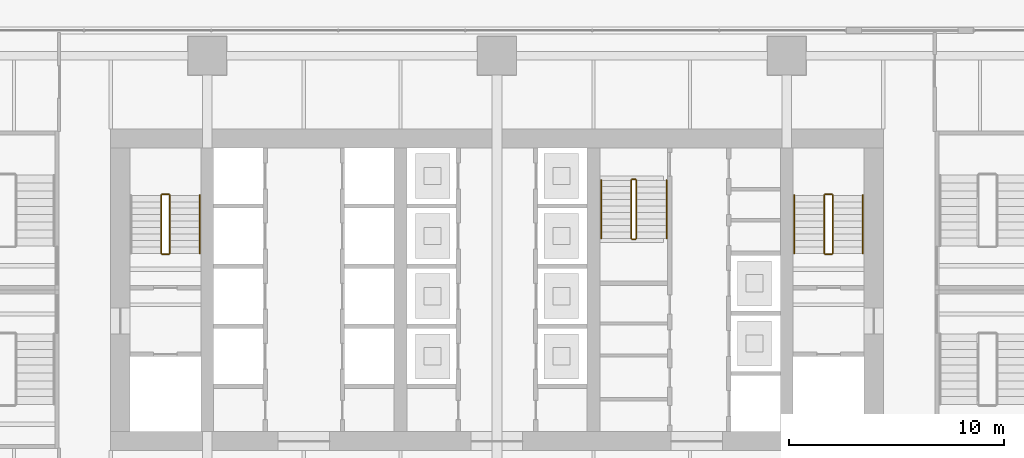
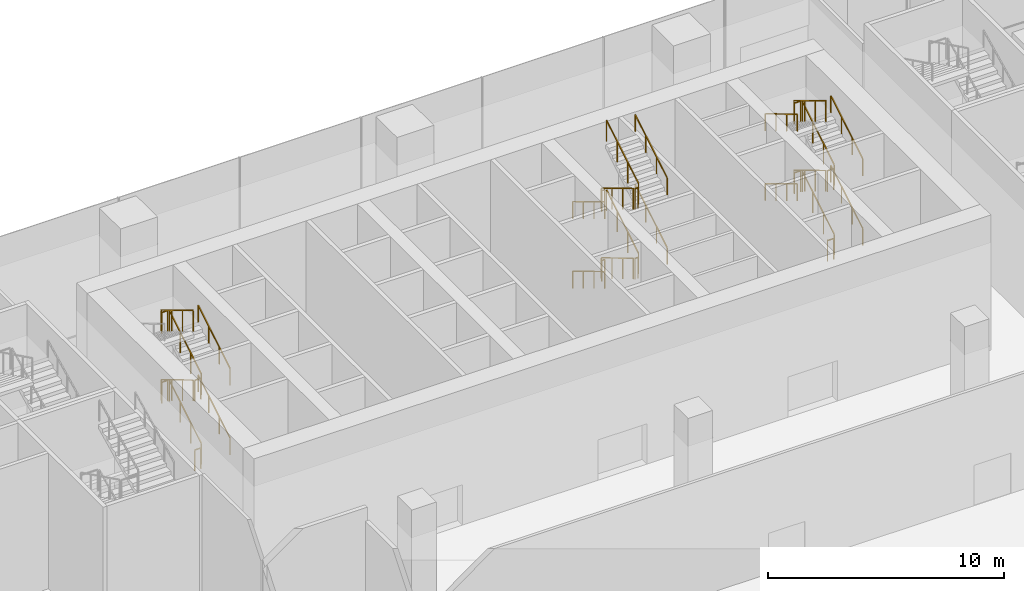
# One storey, part 39 of 41: 34 railings.
"""IFC4 building model written with IfcOpenShell, lengths in metres."""

from ifc_helpers import new_model, si_unit, direction, frame, origin, origin_2d, place, context, subcontext, project, spatial, rectangle, extrude, material, type_object, element, save


model = new_model("IFC4")

# Units and contexts
model_context = context("Model", 3, precision=1e-05, world=origin(), true_north=direction((0.0, 1.0)))
body_context = subcontext(model_context, "Body", "Model", "MODEL_VIEW")
ifc_project = project(units=[si_unit("LENGTHUNIT", "METRE"), si_unit("AREAUNIT", "SQUARE_METRE"), si_unit("VOLUMEUNIT", "CUBIC_METRE"), si_unit("PLANEANGLEUNIT", "RADIAN"), si_unit("MASSUNIT", "GRAM", prefix="KILO")], contexts=[model_context])

# Site, building, storey
site_placement = place(None, origin())
site = spatial("IfcSite", under=ifc_project, at=site_placement, CompositionType="ELEMENT")
building_placement = place(site_placement, origin())
building = spatial("IfcBuilding", under=site, at=building_placement, Name="Rattan Terrace Tower", CompositionType="ELEMENT")
storey_placement = place(building_placement, origin())
storey = spatial("IfcBuildingStorey", under=building, at=storey_placement, Name="L00", CompositionType="ELEMENT", Elevation=0.0)

# Railings
ifc_material_1 = material(Name="Powder-coated steel guard", Category="steel")
railing_type_1 = type_object("IfcRailingType", Name="Core stair guard", PredefinedType="GUARDRAIL", material=ifc_material_1)
railing_1_placement = place(storey_placement, frame((-15.25, 1.699951171875, 0.179931640625)))
element("IfcRailing", 1, at=railing_1_placement, inside=storey, type_object=railing_type_1, Name="L00 S1 stair guard 1", PredefinedType="GUARDRAIL", context=body_context, shape_type="SweptSolid", body=[
    extrude(rectangle(XDim=0.048095703125, YDim=0.048095703125, at=origin_2d()), frame((0.0, 0.0, 1.076171875), z_axis=(0.0, 0.857472400752, 0.514529962148), x_axis=(-1.0, 0.0, 0.0)), (0.0, 0.0, 1.0), 3.148681640625),
    extrude(rectangle(XDim=0.0419921875, YDim=0.0419921875, at=origin_2d()), origin(), (0.0, 0.0, 1.0), 1.052001953125),
    extrude(rectangle(XDim=0.0419921875, YDim=0.0419921875, at=origin_2d()), frame((0.0, 0.89990234375, 0.5400390625)), (0.0, 0.0, 1.0), 1.052001953125),
    extrude(rectangle(XDim=0.0419921875, YDim=0.0419921875, at=origin_2d()), frame((0.0, 1.800048828125, 1.080078125)), (0.0, 0.0, 1.0), 1.052001953125),
    extrude(rectangle(XDim=0.0419921875, YDim=0.0419921875, at=origin_2d()), frame((0.0, 2.699951171875, 1.6201171875)), (0.0, 0.0, 1.0), 1.052001953125),
])
railing_2_placement = place(storey_placement, frame((-15.300048828125, 4.449951171875, 1.800048828125)))
element("IfcRailing", 2, at=railing_2_placement, inside=storey, type_object=railing_type_1, Name="L00 S1 stair guard 2", PredefinedType="GUARDRAIL", context=body_context, shape_type="SweptSolid", body=[
    extrude(rectangle(XDim=0.048095703125, YDim=0.048095703125, at=origin_2d()), frame((0.0, 0.0, 1.076171875), z_axis=(-1.0, 0.0, 0.0), x_axis=(0.0, -1.0, 0.0)), (0.0, 0.0, 1.0), 0.300048828125),
    extrude(rectangle(XDim=0.0419921875, YDim=0.0419921875, at=origin_2d()), origin(), (0.0, 0.0, 1.0), 1.052001953125),
    extrude(rectangle(XDim=0.0419921875, YDim=0.0419921875, at=origin_2d()), frame((-0.300048828125, 0.0, 0.0)), (0.0, 0.0, 1.0), 1.052001953125),
])
railing_3_placement = place(storey_placement, frame((-15.64990234375, 4.39990234375, 1.97998046875)))
element("IfcRailing", 3, at=railing_3_placement, inside=storey, type_object=railing_type_1, Name="L00 S1 stair guard 3", PredefinedType="GUARDRAIL", context=body_context, shape_type="SweptSolid", body=[
    extrude(rectangle(XDim=0.048095703125, YDim=0.048095703125, at=origin_2d()), frame((0.0, 0.0, 1.076171875), z_axis=(0.0, -0.857472400752, 0.514529962148), x_axis=(1.0, 0.0, 0.0)), (0.0, 0.0, 1.0), 3.148681640625),
    extrude(rectangle(XDim=0.0419921875, YDim=0.0419921875, at=origin_2d()), origin(), (0.0, 0.0, 1.0), 1.052001953125),
    extrude(rectangle(XDim=0.0419921875, YDim=0.0419921875, at=origin_2d()), frame((0.0, -0.89990234375, 0.5400390625)), (0.0, 0.0, 1.0), 1.052001953125),
    extrude(rectangle(XDim=0.0419921875, YDim=0.0419921875, at=origin_2d()), frame((0.0, -1.800048828125, 1.080078125)), (0.0, 0.0, 1.0), 1.052001953125),
    extrude(rectangle(XDim=0.0419921875, YDim=0.0419921875, at=origin_2d()), frame((0.0, -2.699951171875, 1.6201171875)), (0.0, 0.0, 1.0), 1.052001953125),
])
railing_4_placement = place(storey_placement, frame((-15.300048828125, 1.64990234375, 3.60009765625)))
element("IfcRailing", 4, at=railing_4_placement, inside=storey, type_object=railing_type_1, Name="L00 S1 stair guard 4", PredefinedType="GUARDRAIL", context=body_context, shape_type="SweptSolid", body=[
    extrude(rectangle(XDim=0.048095703125, YDim=0.048095703125, at=origin_2d()), frame((0.0, 0.0, 1.076171875), z_axis=(-1.0, 0.0, 0.0), x_axis=(0.0, -1.0, 0.0)), (0.0, 0.0, 1.0), 0.300048828125),
    extrude(rectangle(XDim=0.0419921875, YDim=0.0419921875, at=origin_2d()), origin(), (0.0, 0.0, 1.0), 1.052001953125),
    extrude(rectangle(XDim=0.0419921875, YDim=0.0419921875, at=origin_2d()), frame((-0.300048828125, 0.0, 0.0)), (0.0, 0.0, 1.0), 1.052001953125),
])
railing_5_placement = place(storey_placement, frame((-15.25, 1.699951171875, 3.780029296875)))
element("IfcRailing", 5, at=railing_5_placement, inside=storey, type_object=railing_type_1, Name="L00 S1 stair guard 5", PredefinedType="GUARDRAIL", context=body_context, shape_type="SweptSolid", body=[
    extrude(rectangle(XDim=0.048095703125, YDim=0.048095703125, at=origin_2d()), frame((0.0, 0.0, 1.076171875), z_axis=(0.0, 0.857506608807, 0.514472949583), x_axis=(-1.0, 0.0, 0.0)), (0.0, 0.0, 1.0), 3.148681640625),
    extrude(rectangle(XDim=0.0419921875, YDim=0.0419921875, at=origin_2d()), origin(), (0.0, 0.0, 1.0), 1.052001953125),
    extrude(rectangle(XDim=0.0419921875, YDim=0.0419921875, at=origin_2d()), frame((0.0, 0.89990234375, 0.5400390625)), (0.0, 0.0, 1.0), 1.052001953125),
    extrude(rectangle(XDim=0.0419921875, YDim=0.0419921875, at=origin_2d()), frame((0.0, 1.800048828125, 1.079833984375)), (0.0, 0.0, 1.0), 1.052001953125),
    extrude(rectangle(XDim=0.0419921875, YDim=0.0419921875, at=origin_2d()), frame((0.0, 2.699951171875, 1.619873046875)), (0.0, 0.0, 1.0), 1.052001953125),
])
railing_6_placement = place(storey_placement, frame((-15.300048828125, 4.449951171875, 5.39990234375)))
element("IfcRailing", 6, at=railing_6_placement, inside=storey, type_object=railing_type_1, Name="L00 S1 stair guard 6", PredefinedType="GUARDRAIL", context=body_context, shape_type="SweptSolid", body=[
    extrude(rectangle(XDim=0.048095703125, YDim=0.048095703125, at=origin_2d()), frame((0.0, 0.0, 1.076171875), z_axis=(-1.0, 0.0, 0.0), x_axis=(0.0, -1.0, 0.0)), (0.0, 0.0, 1.0), 0.300048828125),
    extrude(rectangle(XDim=0.0419921875, YDim=0.0419921875, at=origin_2d()), origin(), (0.0, 0.0, 1.0), 1.052001953125),
    extrude(rectangle(XDim=0.0419921875, YDim=0.0419921875, at=origin_2d()), frame((-0.300048828125, 0.0, 0.0)), (0.0, 0.0, 1.0), 1.052001953125),
])
railing_7_placement = place(storey_placement, frame((-15.64990234375, 4.39990234375, 5.580078125)))
element("IfcRailing", 7, at=railing_7_placement, inside=storey, type_object=railing_type_1, Name="L00 S1 stair guard 7", PredefinedType="GUARDRAIL", context=body_context, shape_type="SweptSolid", body=[
    extrude(rectangle(XDim=0.048095703125, YDim=0.048095703125, at=origin_2d()), frame((0.0, 0.0, 1.076171875), z_axis=(0.0, -0.857506608807, 0.514472949583), x_axis=(1.0, 0.0, 0.0)), (0.0, 0.0, 1.0), 3.148681640625),
    extrude(rectangle(XDim=0.0419921875, YDim=0.0419921875, at=origin_2d()), origin(), (0.0, 0.0, 1.0), 1.052001953125),
    extrude(rectangle(XDim=0.0419921875, YDim=0.0419921875, at=origin_2d()), frame((0.0, -0.89990234375, 0.5400390625)), (0.0, 0.0, 1.0), 1.052001953125),
    extrude(rectangle(XDim=0.0419921875, YDim=0.0419921875, at=origin_2d()), frame((0.0, -1.800048828125, 1.079833984375)), (0.0, 0.0, 1.0), 1.052001953125),
    extrude(rectangle(XDim=0.0419921875, YDim=0.0419921875, at=origin_2d()), frame((0.0, -2.699951171875, 1.619873046875)), (0.0, 0.0, 1.0), 1.052001953125),
])
railing_8_placement = place(storey_placement, frame((-15.300048828125, 1.64990234375, 0.0)))
element("IfcRailing", 8, at=railing_8_placement, inside=storey, type_object=railing_type_1, Name="L00 S1 stair guard 8", PredefinedType="GUARDRAIL", context=body_context, shape_type="SweptSolid", body=[
    extrude(rectangle(XDim=0.048095703125, YDim=0.048095703125, at=origin_2d()), frame((0.0, 0.0, 1.076171875), z_axis=(-1.0, 0.0, 0.0), x_axis=(0.0, -1.0, 0.0)), (0.0, 0.0, 1.0), 0.300048828125),
    extrude(rectangle(XDim=0.0419921875, YDim=0.0419921875, at=origin_2d()), origin(), (0.0, 0.0, 1.0), 1.052001953125),
    extrude(rectangle(XDim=0.0419921875, YDim=0.0419921875, at=origin_2d()), frame((-0.300048828125, 0.0, 0.0)), (0.0, 0.0, 1.0), 1.052001953125),
])
railing_9_placement = place(storey_placement, frame((15.64990234375, 1.699951171875, 0.179931640625)))
element("IfcRailing", 9, at=railing_9_placement, inside=storey, type_object=railing_type_1, Name="L00 S2 stair guard 1", PredefinedType="GUARDRAIL", context=body_context, shape_type="SweptSolid", body=[
    extrude(rectangle(XDim=0.048095703125, YDim=0.048095703125, at=origin_2d()), frame((0.0, 0.0, 1.076171875), z_axis=(0.0, 0.857472400752, 0.514529962148), x_axis=(-1.0, 0.0, 0.0)), (0.0, 0.0, 1.0), 3.148681640625),
    extrude(rectangle(XDim=0.0419921875, YDim=0.0419921875, at=origin_2d()), origin(), (0.0, 0.0, 1.0), 1.052001953125),
    extrude(rectangle(XDim=0.0419921875, YDim=0.0419921875, at=origin_2d()), frame((0.0, 0.89990234375, 0.5400390625)), (0.0, 0.0, 1.0), 1.052001953125),
    extrude(rectangle(XDim=0.0419921875, YDim=0.0419921875, at=origin_2d()), frame((0.0, 1.800048828125, 1.080078125)), (0.0, 0.0, 1.0), 1.052001953125),
    extrude(rectangle(XDim=0.0419921875, YDim=0.0419921875, at=origin_2d()), frame((0.0, 2.699951171875, 1.6201171875)), (0.0, 0.0, 1.0), 1.052001953125),
])
railing_10_placement = place(storey_placement, frame((15.60009765625, 4.449951171875, 1.800048828125)))
element("IfcRailing", 10, at=railing_10_placement, inside=storey, type_object=railing_type_1, Name="L00 S2 stair guard 2", PredefinedType="GUARDRAIL", context=body_context, shape_type="SweptSolid", body=[
    extrude(rectangle(XDim=0.048095703125, YDim=0.048095703125, at=origin_2d()), frame((0.0, 0.0, 1.076171875), z_axis=(-1.0, 0.0, 0.0), x_axis=(0.0, -1.0, 0.0)), (0.0, 0.0, 1.0), 0.300048828125),
    extrude(rectangle(XDim=0.0419921875, YDim=0.0419921875, at=origin_2d()), origin(), (0.0, 0.0, 1.0), 1.052001953125),
    extrude(rectangle(XDim=0.0419921875, YDim=0.0419921875, at=origin_2d()), frame((-0.300048828125, 0.0, 0.0)), (0.0, 0.0, 1.0), 1.052001953125),
])
railing_11_placement = place(storey_placement, frame((15.25, 4.39990234375, 1.97998046875)))
element("IfcRailing", 11, at=railing_11_placement, inside=storey, type_object=railing_type_1, Name="L00 S2 stair guard 3", PredefinedType="GUARDRAIL", context=body_context, shape_type="SweptSolid", body=[
    extrude(rectangle(XDim=0.048095703125, YDim=0.048095703125, at=origin_2d()), frame((0.0, 0.0, 1.076171875), z_axis=(0.0, -0.857472400752, 0.514529962148), x_axis=(1.0, 0.0, 0.0)), (0.0, 0.0, 1.0), 3.148681640625),
    extrude(rectangle(XDim=0.0419921875, YDim=0.0419921875, at=origin_2d()), origin(), (0.0, 0.0, 1.0), 1.052001953125),
    extrude(rectangle(XDim=0.0419921875, YDim=0.0419921875, at=origin_2d()), frame((0.0, -0.89990234375, 0.5400390625)), (0.0, 0.0, 1.0), 1.052001953125),
    extrude(rectangle(XDim=0.0419921875, YDim=0.0419921875, at=origin_2d()), frame((0.0, -1.800048828125, 1.080078125)), (0.0, 0.0, 1.0), 1.052001953125),
    extrude(rectangle(XDim=0.0419921875, YDim=0.0419921875, at=origin_2d()), frame((0.0, -2.699951171875, 1.6201171875)), (0.0, 0.0, 1.0), 1.052001953125),
])
railing_12_placement = place(storey_placement, frame((15.60009765625, 1.64990234375, 3.60009765625)))
element("IfcRailing", 12, at=railing_12_placement, inside=storey, type_object=railing_type_1, Name="L00 S2 stair guard 4", PredefinedType="GUARDRAIL", context=body_context, shape_type="SweptSolid", body=[
    extrude(rectangle(XDim=0.048095703125, YDim=0.048095703125, at=origin_2d()), frame((0.0, 0.0, 1.076171875), z_axis=(-1.0, 0.0, 0.0), x_axis=(0.0, -1.0, 0.0)), (0.0, 0.0, 1.0), 0.300048828125),
    extrude(rectangle(XDim=0.0419921875, YDim=0.0419921875, at=origin_2d()), origin(), (0.0, 0.0, 1.0), 1.052001953125),
    extrude(rectangle(XDim=0.0419921875, YDim=0.0419921875, at=origin_2d()), frame((-0.300048828125, 0.0, 0.0)), (0.0, 0.0, 1.0), 1.052001953125),
])
railing_13_placement = place(storey_placement, frame((15.64990234375, 1.699951171875, 3.780029296875)))
element("IfcRailing", 13, at=railing_13_placement, inside=storey, type_object=railing_type_1, Name="L00 S2 stair guard 5", PredefinedType="GUARDRAIL", context=body_context, shape_type="SweptSolid", body=[
    extrude(rectangle(XDim=0.048095703125, YDim=0.048095703125, at=origin_2d()), frame((0.0, 0.0, 1.076171875), z_axis=(0.0, 0.857506608807, 0.514472949583), x_axis=(-1.0, 0.0, 0.0)), (0.0, 0.0, 1.0), 3.148681640625),
    extrude(rectangle(XDim=0.0419921875, YDim=0.0419921875, at=origin_2d()), origin(), (0.0, 0.0, 1.0), 1.052001953125),
    extrude(rectangle(XDim=0.0419921875, YDim=0.0419921875, at=origin_2d()), frame((0.0, 0.89990234375, 0.5400390625)), (0.0, 0.0, 1.0), 1.052001953125),
    extrude(rectangle(XDim=0.0419921875, YDim=0.0419921875, at=origin_2d()), frame((0.0, 1.800048828125, 1.079833984375)), (0.0, 0.0, 1.0), 1.052001953125),
    extrude(rectangle(XDim=0.0419921875, YDim=0.0419921875, at=origin_2d()), frame((0.0, 2.699951171875, 1.619873046875)), (0.0, 0.0, 1.0), 1.052001953125),
])
railing_14_placement = place(storey_placement, frame((15.60009765625, 4.449951171875, 5.39990234375)))
element("IfcRailing", 14, at=railing_14_placement, inside=storey, type_object=railing_type_1, Name="L00 S2 stair guard 6", PredefinedType="GUARDRAIL", context=body_context, shape_type="SweptSolid", body=[
    extrude(rectangle(XDim=0.048095703125, YDim=0.048095703125, at=origin_2d()), frame((0.0, 0.0, 1.076171875), z_axis=(-1.0, 0.0, 0.0), x_axis=(0.0, -1.0, 0.0)), (0.0, 0.0, 1.0), 0.300048828125),
    extrude(rectangle(XDim=0.0419921875, YDim=0.0419921875, at=origin_2d()), origin(), (0.0, 0.0, 1.0), 1.052001953125),
    extrude(rectangle(XDim=0.0419921875, YDim=0.0419921875, at=origin_2d()), frame((-0.300048828125, 0.0, 0.0)), (0.0, 0.0, 1.0), 1.052001953125),
])
railing_15_placement = place(storey_placement, frame((15.25, 4.39990234375, 5.580078125)))
element("IfcRailing", 15, at=railing_15_placement, inside=storey, type_object=railing_type_1, Name="L00 S2 stair guard 7", PredefinedType="GUARDRAIL", context=body_context, shape_type="SweptSolid", body=[
    extrude(rectangle(XDim=0.048095703125, YDim=0.048095703125, at=origin_2d()), frame((0.0, 0.0, 1.076171875), z_axis=(0.0, -0.857506608807, 0.514472949583), x_axis=(1.0, 0.0, 0.0)), (0.0, 0.0, 1.0), 3.148681640625),
    extrude(rectangle(XDim=0.0419921875, YDim=0.0419921875, at=origin_2d()), origin(), (0.0, 0.0, 1.0), 1.052001953125),
    extrude(rectangle(XDim=0.0419921875, YDim=0.0419921875, at=origin_2d()), frame((0.0, -0.89990234375, 0.5400390625)), (0.0, 0.0, 1.0), 1.052001953125),
    extrude(rectangle(XDim=0.0419921875, YDim=0.0419921875, at=origin_2d()), frame((0.0, -1.800048828125, 1.079833984375)), (0.0, 0.0, 1.0), 1.052001953125),
    extrude(rectangle(XDim=0.0419921875, YDim=0.0419921875, at=origin_2d()), frame((0.0, -2.699951171875, 1.619873046875)), (0.0, 0.0, 1.0), 1.052001953125),
])
railing_16_placement = place(storey_placement, frame((15.60009765625, 1.64990234375, 0.0)))
element("IfcRailing", 16, at=railing_16_placement, inside=storey, type_object=railing_type_1, Name="L00 S2 stair guard 8", PredefinedType="GUARDRAIL", context=body_context, shape_type="SweptSolid", body=[
    extrude(rectangle(XDim=0.048095703125, YDim=0.048095703125, at=origin_2d()), frame((0.0, 0.0, 1.076171875), z_axis=(-1.0, 0.0, 0.0), x_axis=(0.0, -1.0, 0.0)), (0.0, 0.0, 1.0), 0.300048828125),
    extrude(rectangle(XDim=0.0419921875, YDim=0.0419921875, at=origin_2d()), origin(), (0.0, 0.0, 1.0), 1.052001953125),
    extrude(rectangle(XDim=0.0419921875, YDim=0.0419921875, at=origin_2d()), frame((-0.300048828125, 0.0, 0.0)), (0.0, 0.0, 1.0), 1.052001953125),
])
railing_17_placement = place(storey_placement, frame((6.25, 5.10009765625, 0.179931640625)))
element("IfcRailing", 17, at=railing_17_placement, inside=storey, type_object=railing_type_1, Name="L00 S3 stair guard 1", PredefinedType="GUARDRAIL", context=body_context, shape_type="SweptSolid", body=[
    extrude(rectangle(XDim=0.048095703125, YDim=0.048095703125, at=origin_2d()), frame((0.0, 0.0, 1.076171875), z_axis=(0.0, -0.857492925713, 0.514495755428), x_axis=(1.0, 0.0, 0.0)), (0.0, 0.0, 1.0), 3.14892578125),
    extrude(rectangle(XDim=0.0419921875, YDim=0.0419921875, at=origin_2d()), origin(), (0.0, 0.0, 1.0), 1.052001953125),
    extrude(rectangle(XDim=0.0419921875, YDim=0.0419921875, at=origin_2d()), frame((0.0, -0.900146484375, 0.5400390625)), (0.0, 0.0, 1.0), 1.052001953125),
    extrude(rectangle(XDim=0.0419921875, YDim=0.0419921875, at=origin_2d()), frame((0.0, -1.800048828125, 1.080078125)), (0.0, 0.0, 1.0), 1.052001953125),
    extrude(rectangle(XDim=0.0419921875, YDim=0.0419921875, at=origin_2d()), frame((0.0, -2.7001953125, 1.6201171875)), (0.0, 0.0, 1.0), 1.052001953125),
])
railing_18_placement = place(storey_placement, frame((6.300048828125, 2.35009765625, 1.800048828125)))
element("IfcRailing", 18, at=railing_18_placement, inside=storey, type_object=railing_type_1, Name="L00 S3 stair guard 2", PredefinedType="GUARDRAIL", context=body_context, shape_type="SweptSolid", body=[
    extrude(rectangle(XDim=0.048095703125, YDim=0.048095703125, at=origin_2d()), frame((0.0, 0.0, 1.076171875), z_axis=(1.0, 0.0, 0.0), x_axis=(0.0, 1.0, 0.0)), (0.0, 0.0, 1.0), 0.14990234375),
    extrude(rectangle(XDim=0.0419921875, YDim=0.0419921875, at=origin_2d()), origin(), (0.0, 0.0, 1.0), 1.052001953125),
    extrude(rectangle(XDim=0.0419921875, YDim=0.0419921875, at=origin_2d()), frame((0.14990234375, 0.0, 0.0)), (0.0, 0.0, 1.0), 1.052001953125),
])
railing_19_placement = place(storey_placement, frame((6.5, 2.39990234375, 1.97998046875)))
element("IfcRailing", 19, at=railing_19_placement, inside=storey, type_object=railing_type_1, Name="L00 S3 stair guard 3", PredefinedType="GUARDRAIL", context=body_context, shape_type="SweptSolid", body=[
    extrude(rectangle(XDim=0.048095703125, YDim=0.048095703125, at=origin_2d()), frame((0.0, 0.0, 1.076171875), z_axis=(0.0, 0.857492925713, 0.514495755428), x_axis=(-1.0, 0.0, 0.0)), (0.0, 0.0, 1.0), 3.14892578125),
    extrude(rectangle(XDim=0.0419921875, YDim=0.0419921875, at=origin_2d()), origin(), (0.0, 0.0, 1.0), 1.052001953125),
    extrude(rectangle(XDim=0.0419921875, YDim=0.0419921875, at=origin_2d()), frame((0.0, 0.900146484375, 0.5400390625)), (0.0, 0.0, 1.0), 1.052001953125),
    extrude(rectangle(XDim=0.0419921875, YDim=0.0419921875, at=origin_2d()), frame((0.0, 1.800048828125, 1.080078125)), (0.0, 0.0, 1.0), 1.052001953125),
    extrude(rectangle(XDim=0.0419921875, YDim=0.0419921875, at=origin_2d()), frame((0.0, 2.7001953125, 1.6201171875)), (0.0, 0.0, 1.0), 1.052001953125),
])
railing_20_placement = place(storey_placement, frame((6.300048828125, 5.14990234375, 3.60009765625)))
element("IfcRailing", 20, at=railing_20_placement, inside=storey, type_object=railing_type_1, Name="L00 S3 stair guard 4", PredefinedType="GUARDRAIL", context=body_context, shape_type="SweptSolid", body=[
    extrude(rectangle(XDim=0.048095703125, YDim=0.048095703125, at=origin_2d()), frame((0.0, 0.0, 1.076171875), z_axis=(1.0, 0.0, 0.0), x_axis=(0.0, 1.0, 0.0)), (0.0, 0.0, 1.0), 0.14990234375),
    extrude(rectangle(XDim=0.0419921875, YDim=0.0419921875, at=origin_2d()), origin(), (0.0, 0.0, 1.0), 1.052001953125),
    extrude(rectangle(XDim=0.0419921875, YDim=0.0419921875, at=origin_2d()), frame((0.14990234375, 0.0, 0.0)), (0.0, 0.0, 1.0), 1.052001953125),
])
railing_21_placement = place(storey_placement, frame((6.25, 5.10009765625, 3.780029296875)))
element("IfcRailing", 21, at=railing_21_placement, inside=storey, type_object=railing_type_1, Name="L00 S3 stair guard 5", PredefinedType="GUARDRAIL", context=body_context, shape_type="SweptSolid", body=[
    extrude(rectangle(XDim=0.048095703125, YDim=0.048095703125, at=origin_2d()), frame((0.0, 0.0, 1.076171875), z_axis=(0.0, -0.857527130037, 0.514438743924), x_axis=(1.0, 0.0, 0.0)), (0.0, 0.0, 1.0), 3.14892578125),
    extrude(rectangle(XDim=0.0419921875, YDim=0.0419921875, at=origin_2d()), origin(), (0.0, 0.0, 1.0), 1.052001953125),
    extrude(rectangle(XDim=0.0419921875, YDim=0.0419921875, at=origin_2d()), frame((0.0, -0.900146484375, 0.5400390625)), (0.0, 0.0, 1.0), 1.052001953125),
    extrude(rectangle(XDim=0.0419921875, YDim=0.0419921875, at=origin_2d()), frame((0.0, -1.800048828125, 1.079833984375)), (0.0, 0.0, 1.0), 1.052001953125),
    extrude(rectangle(XDim=0.0419921875, YDim=0.0419921875, at=origin_2d()), frame((0.0, -2.7001953125, 1.619873046875)), (0.0, 0.0, 1.0), 1.052001953125),
])
railing_22_placement = place(storey_placement, frame((6.300048828125, 2.35009765625, 5.39990234375)))
element("IfcRailing", 22, at=railing_22_placement, inside=storey, type_object=railing_type_1, Name="L00 S3 stair guard 6", PredefinedType="GUARDRAIL", context=body_context, shape_type="SweptSolid", body=[
    extrude(rectangle(XDim=0.048095703125, YDim=0.048095703125, at=origin_2d()), frame((0.0, 0.0, 1.076171875), z_axis=(1.0, 0.0, 0.0), x_axis=(0.0, 1.0, 0.0)), (0.0, 0.0, 1.0), 0.14990234375),
    extrude(rectangle(XDim=0.0419921875, YDim=0.0419921875, at=origin_2d()), origin(), (0.0, 0.0, 1.0), 1.052001953125),
    extrude(rectangle(XDim=0.0419921875, YDim=0.0419921875, at=origin_2d()), frame((0.14990234375, 0.0, 0.0)), (0.0, 0.0, 1.0), 1.052001953125),
])
railing_23_placement = place(storey_placement, frame((6.5, 2.39990234375, 5.580078125)))
element("IfcRailing", 23, at=railing_23_placement, inside=storey, type_object=railing_type_1, Name="L00 S3 stair guard 7", PredefinedType="GUARDRAIL", context=body_context, shape_type="SweptSolid", body=[
    extrude(rectangle(XDim=0.048095703125, YDim=0.048095703125, at=origin_2d()), frame((0.0, 0.0, 1.076171875), z_axis=(0.0, 0.857527130037, 0.514438743924), x_axis=(-1.0, 0.0, 0.0)), (0.0, 0.0, 1.0), 3.14892578125),
    extrude(rectangle(XDim=0.0419921875, YDim=0.0419921875, at=origin_2d()), origin(), (0.0, 0.0, 1.0), 1.052001953125),
    extrude(rectangle(XDim=0.0419921875, YDim=0.0419921875, at=origin_2d()), frame((0.0, 0.900146484375, 0.5400390625)), (0.0, 0.0, 1.0), 1.052001953125),
    extrude(rectangle(XDim=0.0419921875, YDim=0.0419921875, at=origin_2d()), frame((0.0, 1.800048828125, 1.079833984375)), (0.0, 0.0, 1.0), 1.052001953125),
    extrude(rectangle(XDim=0.0419921875, YDim=0.0419921875, at=origin_2d()), frame((0.0, 2.7001953125, 1.619873046875)), (0.0, 0.0, 1.0), 1.052001953125),
])
railing_24_placement = place(storey_placement, frame((6.300048828125, 5.14990234375, 0.0)))
element("IfcRailing", 24, at=railing_24_placement, inside=storey, type_object=railing_type_1, Name="L00 S3 stair guard 8", PredefinedType="GUARDRAIL", context=body_context, shape_type="SweptSolid", body=[
    extrude(rectangle(XDim=0.048095703125, YDim=0.048095703125, at=origin_2d()), frame((0.0, 0.0, 1.076171875), z_axis=(1.0, 0.0, 0.0), x_axis=(0.0, 1.0, 0.0)), (0.0, 0.0, 1.0), 0.14990234375),
    extrude(rectangle(XDim=0.0419921875, YDim=0.0419921875, at=origin_2d()), origin(), (0.0, 0.0, 1.0), 1.052001953125),
    extrude(rectangle(XDim=0.0419921875, YDim=0.0419921875, at=origin_2d()), frame((0.14990234375, 0.0, 0.0)), (0.0, 0.0, 1.0), 1.052001953125),
])
ifc_material_2 = material(Name="Powder-coated steel handrail", Category="steel")
railing_type_2 = type_object("IfcRailingType", Name="Core stair handrail", PredefinedType="HANDRAIL", material=ifc_material_2)
railing_25_placement = place(storey_placement, frame((-13.85009765625, 1.699951171875, 0.179931640625)))
element("IfcRailing", 25, at=railing_25_placement, inside=storey, type_object=railing_type_2, Name="L00 S1 stair handrail 1", PredefinedType="HANDRAIL", context=body_context, shape_type="SweptSolid", body=[
    extrude(rectangle(XDim=0.048095703125, YDim=0.048095703125, at=origin_2d()), frame((0.0, 0.0, 0.8759765625), z_axis=(0.0, 0.857472400752, 0.514529962148), x_axis=(-1.0, 0.0, 0.0)), (0.0, 0.0, 1.0), 3.148681640625),
    extrude(rectangle(XDim=0.0419921875, YDim=0.0419921875, at=origin_2d()), origin(), (0.0, 0.0, 1.0), 0.851806640625),
    extrude(rectangle(XDim=0.0419921875, YDim=0.0419921875, at=origin_2d()), frame((0.0, 0.89990234375, 0.5400390625)), (0.0, 0.0, 1.0), 0.851806640625),
    extrude(rectangle(XDim=0.0419921875, YDim=0.0419921875, at=origin_2d()), frame((0.0, 1.800048828125, 1.080078125)), (0.0, 0.0, 1.0), 0.851806640625),
    extrude(rectangle(XDim=0.0419921875, YDim=0.0419921875, at=origin_2d()), frame((0.0, 2.699951171875, 1.6201171875)), (0.0, 0.0, 1.0), 0.851806640625),
])
railing_26_placement = place(storey_placement, frame((-13.85009765625, 1.699951171875, 3.780029296875)))
element("IfcRailing", 26, at=railing_26_placement, inside=storey, type_object=railing_type_2, Name="L00 S1 stair handrail 3", PredefinedType="HANDRAIL", context=body_context, shape_type="SweptSolid", body=[
    extrude(rectangle(XDim=0.048095703125, YDim=0.048095703125, at=origin_2d()), frame((0.0, 0.0, 0.8759765625), z_axis=(0.0, 0.857506608807, 0.514472949583), x_axis=(-1.0, 0.0, 0.0)), (0.0, 0.0, 1.0), 3.148681640625),
    extrude(rectangle(XDim=0.0419921875, YDim=0.0419921875, at=origin_2d()), origin(), (0.0, 0.0, 1.0), 0.851806640625),
    extrude(rectangle(XDim=0.0419921875, YDim=0.0419921875, at=origin_2d()), frame((0.0, 0.89990234375, 0.5400390625)), (0.0, 0.0, 1.0), 0.851806640625),
    extrude(rectangle(XDim=0.0419921875, YDim=0.0419921875, at=origin_2d()), frame((0.0, 1.800048828125, 1.079833984375)), (0.0, 0.0, 1.0), 0.851806640625),
    extrude(rectangle(XDim=0.0419921875, YDim=0.0419921875, at=origin_2d()), frame((0.0, 2.699951171875, 1.619873046875)), (0.0, 0.0, 1.0), 0.851806640625),
])
railing_27_placement = place(storey_placement, frame((17.050048828125, 1.699951171875, 0.179931640625)))
element("IfcRailing", 27, at=railing_27_placement, inside=storey, type_object=railing_type_2, Name="L00 S2 stair handrail 1", PredefinedType="HANDRAIL", context=body_context, shape_type="SweptSolid", body=[
    extrude(rectangle(XDim=0.048095703125, YDim=0.048095703125, at=origin_2d()), frame((0.0, 0.0, 0.8759765625), z_axis=(0.0, 0.857472400752, 0.514529962148), x_axis=(-1.0, 0.0, 0.0)), (0.0, 0.0, 1.0), 3.148681640625),
    extrude(rectangle(XDim=0.0419921875, YDim=0.0419921875, at=origin_2d()), origin(), (0.0, 0.0, 1.0), 0.851806640625),
    extrude(rectangle(XDim=0.0419921875, YDim=0.0419921875, at=origin_2d()), frame((0.0, 0.89990234375, 0.5400390625)), (0.0, 0.0, 1.0), 0.851806640625),
    extrude(rectangle(XDim=0.0419921875, YDim=0.0419921875, at=origin_2d()), frame((0.0, 1.800048828125, 1.080078125)), (0.0, 0.0, 1.0), 0.851806640625),
    extrude(rectangle(XDim=0.0419921875, YDim=0.0419921875, at=origin_2d()), frame((0.0, 2.699951171875, 1.6201171875)), (0.0, 0.0, 1.0), 0.851806640625),
])
railing_28_placement = place(storey_placement, frame((13.85009765625, 4.39990234375, 1.97998046875)))
element("IfcRailing", 28, at=railing_28_placement, inside=storey, type_object=railing_type_2, Name="L00 S2 stair handrail 2", PredefinedType="HANDRAIL", context=body_context, shape_type="SweptSolid", body=[
    extrude(rectangle(XDim=0.048095703125, YDim=0.048095703125, at=origin_2d()), frame((0.0, 0.0, 0.8759765625), z_axis=(0.0, -0.857472400752, 0.514529962148), x_axis=(1.0, 0.0, 0.0)), (0.0, 0.0, 1.0), 3.148681640625),
    extrude(rectangle(XDim=0.0419921875, YDim=0.0419921875, at=origin_2d()), origin(), (0.0, 0.0, 1.0), 0.851806640625),
    extrude(rectangle(XDim=0.0419921875, YDim=0.0419921875, at=origin_2d()), frame((0.0, -0.89990234375, 0.5400390625)), (0.0, 0.0, 1.0), 0.851806640625),
    extrude(rectangle(XDim=0.0419921875, YDim=0.0419921875, at=origin_2d()), frame((0.0, -1.800048828125, 1.080078125)), (0.0, 0.0, 1.0), 0.851806640625),
    extrude(rectangle(XDim=0.0419921875, YDim=0.0419921875, at=origin_2d()), frame((0.0, -2.699951171875, 1.6201171875)), (0.0, 0.0, 1.0), 0.851806640625),
])
railing_29_placement = place(storey_placement, frame((17.050048828125, 1.699951171875, 3.780029296875)))
element("IfcRailing", 29, at=railing_29_placement, inside=storey, type_object=railing_type_2, Name="L00 S2 stair handrail 3", PredefinedType="HANDRAIL", context=body_context, shape_type="SweptSolid", body=[
    extrude(rectangle(XDim=0.048095703125, YDim=0.048095703125, at=origin_2d()), frame((0.0, 0.0, 0.8759765625), z_axis=(0.0, 0.857506608807, 0.514472949583), x_axis=(-1.0, 0.0, 0.0)), (0.0, 0.0, 1.0), 3.148681640625),
    extrude(rectangle(XDim=0.0419921875, YDim=0.0419921875, at=origin_2d()), origin(), (0.0, 0.0, 1.0), 0.851806640625),
    extrude(rectangle(XDim=0.0419921875, YDim=0.0419921875, at=origin_2d()), frame((0.0, 0.89990234375, 0.5400390625)), (0.0, 0.0, 1.0), 0.851806640625),
    extrude(rectangle(XDim=0.0419921875, YDim=0.0419921875, at=origin_2d()), frame((0.0, 1.800048828125, 1.079833984375)), (0.0, 0.0, 1.0), 0.851806640625),
    extrude(rectangle(XDim=0.0419921875, YDim=0.0419921875, at=origin_2d()), frame((0.0, 2.699951171875, 1.619873046875)), (0.0, 0.0, 1.0), 0.851806640625),
])
railing_30_placement = place(storey_placement, frame((13.85009765625, 4.39990234375, 5.580078125)))
element("IfcRailing", 30, at=railing_30_placement, inside=storey, type_object=railing_type_2, Name="L00 S2 stair handrail 4", PredefinedType="HANDRAIL", context=body_context, shape_type="SweptSolid", body=[
    extrude(rectangle(XDim=0.048095703125, YDim=0.048095703125, at=origin_2d()), frame((0.0, 0.0, 0.8759765625), z_axis=(0.0, -0.857506608807, 0.514472949583), x_axis=(1.0, 0.0, 0.0)), (0.0, 0.0, 1.0), 3.148681640625),
    extrude(rectangle(XDim=0.0419921875, YDim=0.0419921875, at=origin_2d()), origin(), (0.0, 0.0, 1.0), 0.851806640625),
    extrude(rectangle(XDim=0.0419921875, YDim=0.0419921875, at=origin_2d()), frame((0.0, -0.89990234375, 0.5400390625)), (0.0, 0.0, 1.0), 0.851806640625),
    extrude(rectangle(XDim=0.0419921875, YDim=0.0419921875, at=origin_2d()), frame((0.0, -1.800048828125, 1.079833984375)), (0.0, 0.0, 1.0), 0.851806640625),
    extrude(rectangle(XDim=0.0419921875, YDim=0.0419921875, at=origin_2d()), frame((0.0, -2.699951171875, 1.619873046875)), (0.0, 0.0, 1.0), 0.851806640625),
])
railing_31_placement = place(storey_placement, frame((4.85009765625, 5.10009765625, 0.179931640625)))
element("IfcRailing", 31, at=railing_31_placement, inside=storey, type_object=railing_type_2, Name="L00 S3 stair handrail 1", PredefinedType="HANDRAIL", context=body_context, shape_type="SweptSolid", body=[
    extrude(rectangle(XDim=0.048095703125, YDim=0.048095703125, at=origin_2d()), frame((0.0, 0.0, 0.8759765625), z_axis=(0.0, -0.857492925713, 0.514495755428), x_axis=(1.0, 0.0, 0.0)), (0.0, 0.0, 1.0), 3.14892578125),
    extrude(rectangle(XDim=0.0419921875, YDim=0.0419921875, at=origin_2d()), origin(), (0.0, 0.0, 1.0), 0.851806640625),
    extrude(rectangle(XDim=0.0419921875, YDim=0.0419921875, at=origin_2d()), frame((0.0, -0.900146484375, 0.5400390625)), (0.0, 0.0, 1.0), 0.851806640625),
    extrude(rectangle(XDim=0.0419921875, YDim=0.0419921875, at=origin_2d()), frame((0.0, -1.800048828125, 1.080078125)), (0.0, 0.0, 1.0), 0.851806640625),
    extrude(rectangle(XDim=0.0419921875, YDim=0.0419921875, at=origin_2d()), frame((0.0, -2.7001953125, 1.6201171875)), (0.0, 0.0, 1.0), 0.851806640625),
])
railing_32_placement = place(storey_placement, frame((7.89990234375, 2.39990234375, 1.97998046875)))
element("IfcRailing", 32, at=railing_32_placement, inside=storey, type_object=railing_type_2, Name="L00 S3 stair handrail 2", PredefinedType="HANDRAIL", context=body_context, shape_type="SweptSolid", body=[
    extrude(rectangle(XDim=0.048095703125, YDim=0.048095703125, at=origin_2d()), frame((0.0, 0.0, 0.8759765625), z_axis=(0.0, 0.857492925713, 0.514495755428), x_axis=(-1.0, 0.0, 0.0)), (0.0, 0.0, 1.0), 3.14892578125),
    extrude(rectangle(XDim=0.0419921875, YDim=0.0419921875, at=origin_2d()), origin(), (0.0, 0.0, 1.0), 0.851806640625),
    extrude(rectangle(XDim=0.0419921875, YDim=0.0419921875, at=origin_2d()), frame((0.0, 0.900146484375, 0.5400390625)), (0.0, 0.0, 1.0), 0.851806640625),
    extrude(rectangle(XDim=0.0419921875, YDim=0.0419921875, at=origin_2d()), frame((0.0, 1.800048828125, 1.080078125)), (0.0, 0.0, 1.0), 0.851806640625),
    extrude(rectangle(XDim=0.0419921875, YDim=0.0419921875, at=origin_2d()), frame((0.0, 2.7001953125, 1.6201171875)), (0.0, 0.0, 1.0), 0.851806640625),
])
railing_33_placement = place(storey_placement, frame((4.85009765625, 5.10009765625, 3.780029296875)))
element("IfcRailing", 33, at=railing_33_placement, inside=storey, type_object=railing_type_2, Name="L00 S3 stair handrail 3", PredefinedType="HANDRAIL", context=body_context, shape_type="SweptSolid", body=[
    extrude(rectangle(XDim=0.048095703125, YDim=0.048095703125, at=origin_2d()), frame((0.0, 0.0, 0.8759765625), z_axis=(0.0, -0.857527130037, 0.514438743924), x_axis=(1.0, 0.0, 0.0)), (0.0, 0.0, 1.0), 3.14892578125),
    extrude(rectangle(XDim=0.0419921875, YDim=0.0419921875, at=origin_2d()), origin(), (0.0, 0.0, 1.0), 0.851806640625),
    extrude(rectangle(XDim=0.0419921875, YDim=0.0419921875, at=origin_2d()), frame((0.0, -0.900146484375, 0.5400390625)), (0.0, 0.0, 1.0), 0.851806640625),
    extrude(rectangle(XDim=0.0419921875, YDim=0.0419921875, at=origin_2d()), frame((0.0, -1.800048828125, 1.079833984375)), (0.0, 0.0, 1.0), 0.851806640625),
    extrude(rectangle(XDim=0.0419921875, YDim=0.0419921875, at=origin_2d()), frame((0.0, -2.7001953125, 1.619873046875)), (0.0, 0.0, 1.0), 0.851806640625),
])
railing_34_placement = place(storey_placement, frame((7.89990234375, 2.39990234375, 5.580078125)))
element("IfcRailing", 34, at=railing_34_placement, inside=storey, type_object=railing_type_2, Name="L00 S3 stair handrail 4", PredefinedType="HANDRAIL", context=body_context, shape_type="SweptSolid", body=[
    extrude(rectangle(XDim=0.048095703125, YDim=0.048095703125, at=origin_2d()), frame((0.0, 0.0, 0.8759765625), z_axis=(0.0, 0.857527130037, 0.514438743924), x_axis=(-1.0, 0.0, 0.0)), (0.0, 0.0, 1.0), 3.14892578125),
    extrude(rectangle(XDim=0.0419921875, YDim=0.0419921875, at=origin_2d()), origin(), (0.0, 0.0, 1.0), 0.851806640625),
    extrude(rectangle(XDim=0.0419921875, YDim=0.0419921875, at=origin_2d()), frame((0.0, 0.900146484375, 0.5400390625)), (0.0, 0.0, 1.0), 0.851806640625),
    extrude(rectangle(XDim=0.0419921875, YDim=0.0419921875, at=origin_2d()), frame((0.0, 1.800048828125, 1.079833984375)), (0.0, 0.0, 1.0), 0.851806640625),
    extrude(rectangle(XDim=0.0419921875, YDim=0.0419921875, at=origin_2d()), frame((0.0, 2.7001953125, 1.619873046875)), (0.0, 0.0, 1.0), 0.851806640625),
])

save(model, "model.ifc")
